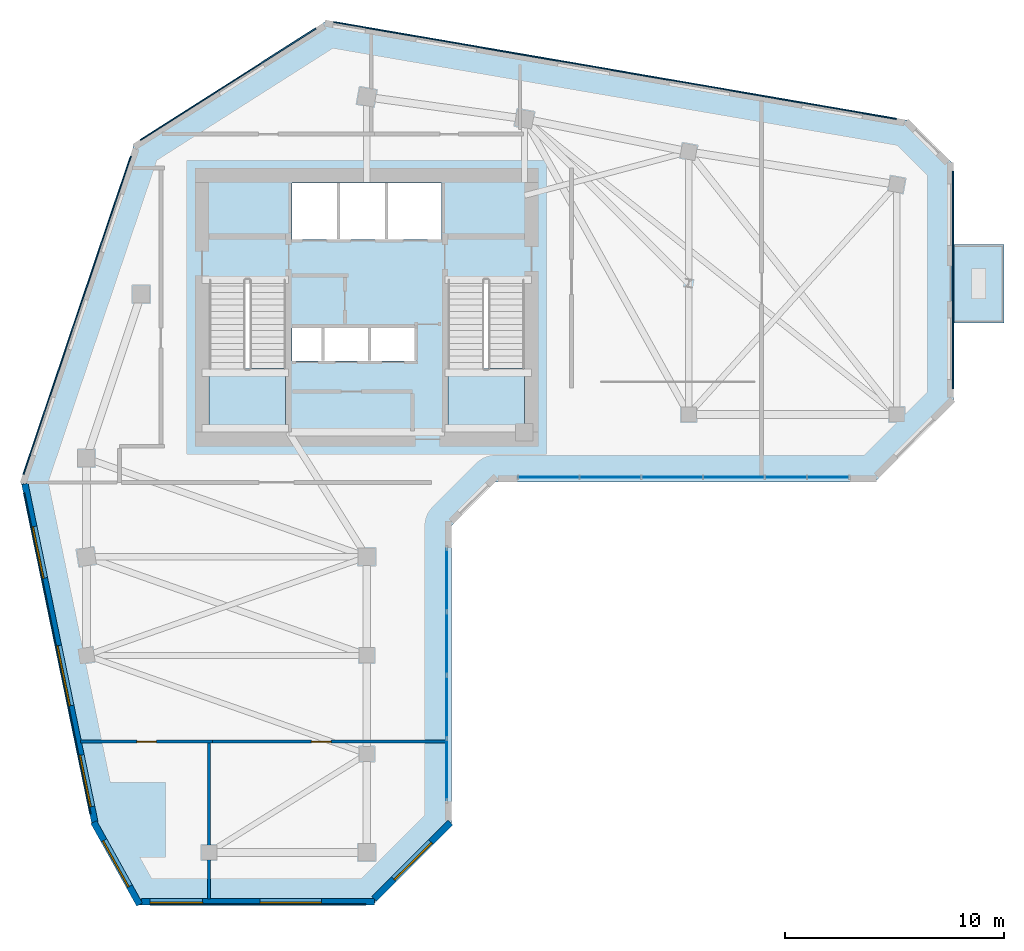
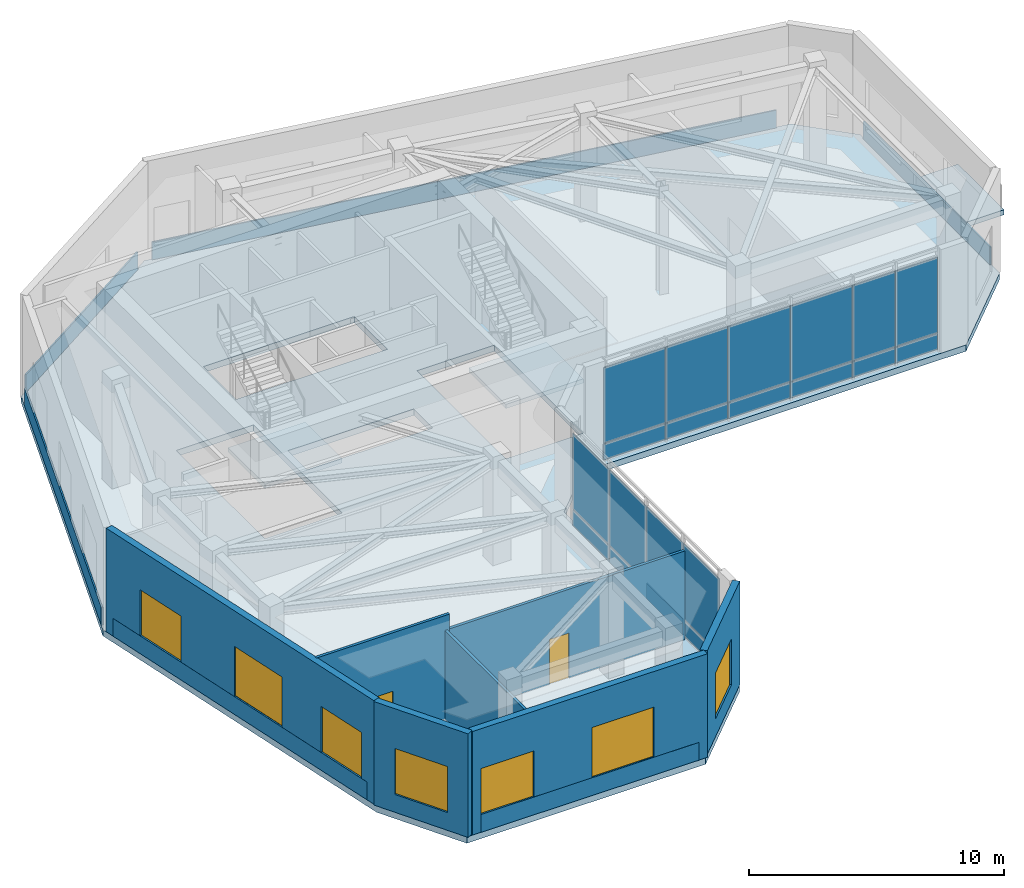
# One storey, part 4 of 10: 26 plates, 7 walls, 7 windows, 4 slabs, 2 doors, 9 openings, 4 elements without a shape of their own.
"""IFC4 building model written with IfcOpenShell, lengths in metres."""

from ifc_helpers import new_model, si_unit, direction, frame, frame_2d, origin, place, context, subcontext, project, spatial, polyline, rectangle, outline, extrude, source, transform, mapped, material, layer, layer_set, type_object, element, fill, aggregate, save


model = new_model("IFC4")

# Units and contexts
model_context = context("Model", 3, precision=1e-05, world=origin(), true_north=direction((0.0, 1.0)))
body_context = subcontext(model_context, "Body", "Model", "MODEL_VIEW")
ifc_project = project(units=[si_unit("LENGTHUNIT", "METRE"), si_unit("AREAUNIT", "SQUARE_METRE"), si_unit("VOLUMEUNIT", "CUBIC_METRE"), si_unit("PLANEANGLEUNIT", "RADIAN"), si_unit("MASSUNIT", "GRAM", prefix="KILO")], contexts=[model_context])

# Site, building, storey
site_placement = place(None, origin())
site = spatial("IfcSite", under=ifc_project, at=site_placement, CompositionType="ELEMENT")
building_placement = place(site_placement, origin())
building = spatial("IfcBuilding", under=site, at=building_placement, Name="Calvemar Wedge Station Tower", CompositionType="ELEMENT")
storey_placement = place(building_placement, frame((0.0, 0.0, 178.199951171875)))
storey = spatial("IfcBuildingStorey", under=building, at=storey_placement, Name="L44", CompositionType="ELEMENT", Elevation=178.199951171875)

# Curtain wall, plates
ifc_material_1 = material(Name="Anodised aluminium 6063-T6", Category="aluminium")
curtain_wall_type = type_object("IfcCurtainWallType", Name="CW6", PredefinedType="NOTDEFINED", material=ifc_material_1)
curtain_wall_1_placement = place(storey_placement, origin())
curtain_wall_1 = element("IfcCurtainWall", 1, at=curtain_wall_1_placement, inside=storey, type_object=curtain_wall_type, Name="Storey L44 CW6 Recessed Unitised Curtain Wall 4", PredefinedType="NOTDEFINED")
ifc_material_2 = material(Name="Low-E laminated insulated glass", Category="glass")
ifc_layer_1 = layer(ifc_material_2, 0.028076171875)
ifc_layer_set_1 = layer_set([ifc_layer_1], Name="Low-E laminated insulated glass")
plate_type_1 = type_object("IfcPlateType", Name="CW6-GLZ", PredefinedType="CURTAIN_PANEL", material=ifc_layer_set_1)
plate_1_placement = place(storey_placement, frame((27.4541015625, 17.380126953125, 0.8701171875), z_axis=(0.0, 0.0, 1.0), x_axis=(0.0, 1.0, 0.0)))
plate_1 = element("IfcPlate", 2, at=plate_1_placement, type_object=plate_type_1, Name="CW6 vision glass panel 1", PredefinedType="CURTAIN_PANEL", context=body_context, shape_type="SweptSolid", body=[
    extrude(rectangle(XDim=2.806884765625, YDim=0.028076171875, at=frame_2d((1.4033203125, 0.0))), origin(), (0.0, 0.0, 1.0), 3.60986328125),
])
plate_2_placement = place(storey_placement, frame((27.4541015625, 20.222900390625, 0.8701171875), z_axis=(0.0, 0.0, 1.0), x_axis=(0.0, 1.0, 0.0)))
plate_2 = element("IfcPlate", 3, at=plate_2_placement, type_object=plate_type_1, Name="CW6 vision glass panel 2", PredefinedType="CURTAIN_PANEL", context=body_context, shape_type="SweptSolid", body=[
    extrude(rectangle(XDim=2.85791015625, YDim=0.028076171875, at=frame_2d((1.428955078125, 0.0))), origin(), (0.0, 0.0, 1.0), 3.60986328125),
])
plate_3_placement = place(storey_placement, frame((27.4541015625, 23.11669921875, 0.8701171875), z_axis=(0.0, 0.0, 1.0), x_axis=(0.0, 1.0, 0.0)))
plate_3 = element("IfcPlate", 4, at=plate_3_placement, type_object=plate_type_1, Name="CW6 vision glass panel 3", PredefinedType="CURTAIN_PANEL", context=body_context, shape_type="SweptSolid", body=[
    extrude(rectangle(XDim=2.857666015625, YDim=0.028076171875, at=frame_2d((1.4287109375, 0.0))), origin(), (0.0, 0.0, 1.0), 3.60986328125),
])
plate_4_placement = place(storey_placement, frame((27.4541015625, 26.010498046875, 0.8701171875), z_axis=(0.0, 0.0, 1.0), x_axis=(0.0, 1.0, 0.0)))
plate_4 = element("IfcPlate", 5, at=plate_4_placement, type_object=plate_type_1, Name="CW6 vision glass panel 4", PredefinedType="CURTAIN_PANEL", context=body_context, shape_type="SweptSolid", body=[
    extrude(rectangle(XDim=2.857666015625, YDim=0.028076171875, at=frame_2d((1.4287109375, 0.0))), origin(), (0.0, 0.0, 1.0), 3.60986328125),
])

curtain_wall_2_placement = place(storey_placement, origin())
curtain_wall_2 = element("IfcCurtainWall", 6, at=curtain_wall_2_placement, inside=storey, type_object=curtain_wall_type, Name="Storey L44 CW6 Recessed Unitised Curtain Wall 6", PredefinedType="NOTDEFINED")
plate_5_placement = place(storey_placement, frame((30.719970703125, 32.134033203125, 0.8701171875), z_axis=(0.0, 0.0, 1.0), x_axis=(1.0, 0.0, 0.0)))
plate_5 = element("IfcPlate", 7, at=plate_5_placement, type_object=plate_type_1, Name="CW6 vision glass panel 1", PredefinedType="CURTAIN_PANEL", context=body_context, shape_type="SweptSolid", body=[
    extrude(rectangle(XDim=2.7822265625, YDim=0.028076171875, at=frame_2d((1.39111328125, 0.0))), origin(), (0.0, 0.0, 1.0), 3.60986328125),
])
plate_6_placement = place(storey_placement, frame((33.5380859375, 32.134033203125, 0.8701171875), z_axis=(0.0, 0.0, 1.0), x_axis=(1.0, 0.0, 0.0)))
plate_6 = element("IfcPlate", 8, at=plate_6_placement, type_object=plate_type_1, Name="CW6 vision glass panel 2", PredefinedType="CURTAIN_PANEL", context=body_context, shape_type="SweptSolid", body=[
    extrude(rectangle(XDim=2.7822265625, YDim=0.028076171875, at=frame_2d((1.39111328125, 0.0))), origin(), (0.0, 0.0, 1.0), 3.60986328125),
])
plate_7_placement = place(storey_placement, frame((36.3564453125, 32.134033203125, 0.8701171875), z_axis=(0.0, 0.0, 1.0), x_axis=(1.0, 0.0, 0.0)))
plate_7 = element("IfcPlate", 9, at=plate_7_placement, type_object=plate_type_1, Name="CW6 vision glass panel 3", PredefinedType="CURTAIN_PANEL", context=body_context, shape_type="SweptSolid", body=[
    extrude(rectangle(XDim=2.7822265625, YDim=0.028076171875, at=frame_2d((1.39111328125, 0.0))), origin(), (0.0, 0.0, 1.0), 3.60986328125),
])
plate_8_placement = place(storey_placement, frame((39.1748046875, 32.134033203125, 0.8701171875), z_axis=(0.0, 0.0, 1.0), x_axis=(1.0, 0.0, 0.0)))
plate_8 = element("IfcPlate", 10, at=plate_8_placement, type_object=plate_type_1, Name="CW6 vision glass panel 4", PredefinedType="CURTAIN_PANEL", context=body_context, shape_type="SweptSolid", body=[
    extrude(rectangle(XDim=2.7822265625, YDim=0.028076171875, at=frame_2d((1.39111328125, 0.0))), origin(), (0.0, 0.0, 1.0), 3.60986328125),
])
plate_9_placement = place(storey_placement, frame((41.992919921875, 32.134033203125, 0.8701171875), z_axis=(0.0, 0.0, 1.0), x_axis=(1.0, 0.0, 0.0)))
plate_9 = element("IfcPlate", 11, at=plate_9_placement, type_object=plate_type_1, Name="CW6 vision glass panel 5", PredefinedType="CURTAIN_PANEL", context=body_context, shape_type="SweptSolid", body=[
    extrude(rectangle(XDim=1.8955078125, YDim=0.028076171875, at=frame_2d((0.94775390625, 0.0))), origin(), (0.0, 0.0, 1.0), 3.60986328125),
])
plate_10_placement = place(storey_placement, frame((43.92431640625, 32.134033203125, 0.8701171875), z_axis=(0.0, 0.0, 1.0), x_axis=(1.0, 0.0, 0.0)))
plate_10 = element("IfcPlate", 12, at=plate_10_placement, type_object=plate_type_1, Name="CW6 vision glass panel 6", PredefinedType="CURTAIN_PANEL", context=body_context, shape_type="SweptSolid", body=[
    extrude(rectangle(XDim=1.8955078125, YDim=0.028076171875, at=frame_2d((0.94775390625, 0.0))), origin(), (0.0, 0.0, 1.0), 3.60986328125),
])

# Plate
ifc_material_3 = material(Name="Oxidized bronze aluminium spandrel panel 5005-H24", Category="aluminium")
ifc_layer_2 = layer(ifc_material_3, 0.0400390625)
ifc_layer_set_2 = layer_set([ifc_layer_2], Name="Oxidized bronze aluminium spandrel panel 5005-H24")
plate_type_2 = type_object("IfcPlateType", Name="CW6-SPD", PredefinedType="SHEET", material=ifc_layer_set_2)
plate_11_placement = place(storey_placement, frame((27.4541015625, 17.380126953125, 0.080078125), z_axis=(0.0, 0.0, 1.0), x_axis=(0.0, 1.0, 0.0)))
plate_11 = element("IfcPlate", 13, at=plate_11_placement, type_object=plate_type_2, Name="CW6 bronze spandrel panel 1", PredefinedType="SHEET", context=body_context, shape_type="SweptSolid", body=[
    extrude(rectangle(XDim=2.806884765625, YDim=0.0400390625, at=frame_2d((1.4033203125, 0.0))), origin(), (0.0, 0.0, 1.0), 0.75),
])

plate_12_placement = place(storey_placement, frame((27.4541015625, 20.222900390625, 0.080078125), z_axis=(0.0, 0.0, 1.0), x_axis=(0.0, 1.0, 0.0)))
plate_12 = element("IfcPlate", 14, at=plate_12_placement, type_object=plate_type_2, Name="CW6 bronze spandrel panel 2", PredefinedType="SHEET", context=body_context, shape_type="SweptSolid", body=[
    extrude(rectangle(XDim=2.85791015625, YDim=0.0400390625, at=frame_2d((1.428955078125, 0.0))), origin(), (0.0, 0.0, 1.0), 0.75),
])

plate_13_placement = place(storey_placement, frame((27.4541015625, 23.11669921875, 0.080078125), z_axis=(0.0, 0.0, 1.0), x_axis=(0.0, 1.0, 0.0)))
plate_13 = element("IfcPlate", 15, at=plate_13_placement, type_object=plate_type_2, Name="CW6 bronze spandrel panel 3", PredefinedType="SHEET", context=body_context, shape_type="SweptSolid", body=[
    extrude(rectangle(XDim=2.857666015625, YDim=0.0400390625, at=frame_2d((1.4287109375, 0.0))), origin(), (0.0, 0.0, 1.0), 0.75),
])

plate_14_placement = place(storey_placement, frame((27.4541015625, 26.010498046875, 0.080078125), z_axis=(0.0, 0.0, 1.0), x_axis=(0.0, 1.0, 0.0)))
plate_14 = element("IfcPlate", 16, at=plate_14_placement, type_object=plate_type_2, Name="CW6 bronze spandrel panel 4", PredefinedType="SHEET", context=body_context, shape_type="SweptSolid", body=[
    extrude(rectangle(XDim=2.857666015625, YDim=0.0400390625, at=frame_2d((1.4287109375, 0.0))), origin(), (0.0, 0.0, 1.0), 0.75),
])

aggregate(curtain_wall_1, [plate_11, plate_1, plate_12, plate_2, plate_13, plate_3, plate_14, plate_4])

plate_15_placement = place(storey_placement, frame((30.719970703125, 32.134033203125, 0.080078125), z_axis=(0.0, 0.0, 1.0), x_axis=(1.0, 0.0, 0.0)))
plate_15 = element("IfcPlate", 17, at=plate_15_placement, type_object=plate_type_2, Name="CW6 bronze spandrel panel 1", PredefinedType="SHEET", context=body_context, shape_type="SweptSolid", body=[
    extrude(rectangle(XDim=2.7822265625, YDim=0.0400390625, at=frame_2d((1.39111328125, 0.0))), origin(), (0.0, 0.0, 1.0), 0.75),
])

plate_16_placement = place(storey_placement, frame((33.5380859375, 32.134033203125, 0.080078125), z_axis=(0.0, 0.0, 1.0), x_axis=(1.0, 0.0, 0.0)))
plate_16 = element("IfcPlate", 18, at=plate_16_placement, type_object=plate_type_2, Name="CW6 bronze spandrel panel 2", PredefinedType="SHEET", context=body_context, shape_type="SweptSolid", body=[
    extrude(rectangle(XDim=2.7822265625, YDim=0.0400390625, at=frame_2d((1.39111328125, 0.0))), origin(), (0.0, 0.0, 1.0), 0.75),
])

plate_17_placement = place(storey_placement, frame((36.3564453125, 32.134033203125, 0.080078125), z_axis=(0.0, 0.0, 1.0), x_axis=(1.0, 0.0, 0.0)))
plate_17 = element("IfcPlate", 19, at=plate_17_placement, type_object=plate_type_2, Name="CW6 bronze spandrel panel 3", PredefinedType="SHEET", context=body_context, shape_type="SweptSolid", body=[
    extrude(rectangle(XDim=2.7822265625, YDim=0.0400390625, at=frame_2d((1.39111328125, 0.0))), origin(), (0.0, 0.0, 1.0), 0.75),
])

plate_18_placement = place(storey_placement, frame((39.1748046875, 32.134033203125, 0.080078125), z_axis=(0.0, 0.0, 1.0), x_axis=(1.0, 0.0, 0.0)))
plate_18 = element("IfcPlate", 20, at=plate_18_placement, type_object=plate_type_2, Name="CW6 bronze spandrel panel 4", PredefinedType="SHEET", context=body_context, shape_type="SweptSolid", body=[
    extrude(rectangle(XDim=2.7822265625, YDim=0.0400390625, at=frame_2d((1.39111328125, 0.0))), origin(), (0.0, 0.0, 1.0), 0.75),
])

plate_19_placement = place(storey_placement, frame((41.992919921875, 32.134033203125, 0.080078125), z_axis=(0.0, 0.0, 1.0), x_axis=(1.0, 0.0, 0.0)))
plate_19 = element("IfcPlate", 21, at=plate_19_placement, type_object=plate_type_2, Name="CW6 bronze spandrel panel 5", PredefinedType="SHEET", context=body_context, shape_type="SweptSolid", body=[
    extrude(rectangle(XDim=1.8955078125, YDim=0.0400390625, at=frame_2d((0.94775390625, 0.0))), origin(), (0.0, 0.0, 1.0), 0.75),
])

plate_20_placement = place(storey_placement, frame((43.92431640625, 32.134033203125, 0.080078125), z_axis=(0.0, 0.0, 1.0), x_axis=(1.0, 0.0, 0.0)))
plate_20 = element("IfcPlate", 22, at=plate_20_placement, type_object=plate_type_2, Name="CW6 bronze spandrel panel 6", PredefinedType="SHEET", context=body_context, shape_type="SweptSolid", body=[
    extrude(rectangle(XDim=1.8955078125, YDim=0.0400390625, at=frame_2d((0.94775390625, 0.0))), origin(), (0.0, 0.0, 1.0), 0.75),
])

aggregate(curtain_wall_2, [plate_15, plate_5, plate_16, plate_6, plate_17, plate_7, plate_18, plate_8, plate_19, plate_9, plate_20, plate_10])

# Plates
ifc_material_4 = material(Name="Precast concrete C45", Category="concrete")
ifc_layer_3 = layer(ifc_material_4, 0.06494140625)
ifc_layer_set_3 = layer_set([ifc_layer_3], Name="Precast concrete C45")
plate_type_3 = type_object("IfcPlateType", Name="PL-GFRC-FIN", PredefinedType="USERDEFINED", material=ifc_layer_set_3)
plate_21_placement = place(storey_placement, frame((13.91015625, 12.6298828125, 0.0), z_axis=(0.0, 0.0, 1.0), x_axis=(1.0, 0.0, 0.0)))
element("IfcPlate", 23, at=plate_21_placement, inside=storey, type_object=plate_type_3, Name="Storey L44 Oxidized-Bronze GFRC Spandrel Cladding 2", ObjectType="CLADDING PANEL", PredefinedType="USERDEFINED", context=body_context, shape_type="SweptSolid", body=[
    extrude(rectangle(XDim=9.841796875, YDim=0.06494140625, at=frame_2d((4.9208984375, 0.0))), origin(), (0.0, 0.0, 1.0), 0.85009765625),
])
plate_22_placement = place(storey_placement, frame((50.570068359375, 36.181396484375, 0.0), z_axis=(0.0, 0.0, 1.0), x_axis=(0.0, 1.0, 0.0)))
element("IfcPlate", 24, at=plate_22_placement, inside=storey, type_object=plate_type_3, Name="Storey L44 Oxidized-Bronze GFRC Spandrel Cladding 8", ObjectType="CLADDING PANEL", PredefinedType="USERDEFINED", context=body_context, shape_type="SweptSolid", body=[
    extrude(rectangle(XDim=9.930419921875, YDim=0.06494140625, at=frame_2d((4.96533203125, 0.0))), origin(), (0.0, 0.0, 1.0), 0.85009765625),
])
plate_23_placement = place(storey_placement, frame((47.9873046875, 48.4990234375, 0.0), z_axis=(0.0, 0.0, 1.0), x_axis=(-0.985523911085, 0.169536487755, 0.0)))
element("IfcPlate", 25, at=plate_23_placement, inside=storey, type_object=plate_type_3, Name="Storey L44 Oxidized-Bronze GFRC Spandrel Cladding 10", ObjectType="CLADDING PANEL", PredefinedType="USERDEFINED", context=body_context, shape_type="SweptSolid", body=[
    extrude(rectangle(XDim=26.06640625, YDim=0.06494140625, at=frame_2d((13.033203125, 0.0))), origin(), (0.0, 0.0, 1.0), 0.85009765625),
])
plate_24_placement = place(storey_placement, frame((21.472412109375, 52.62890625, 0.0), z_axis=(0.0, 0.0, 1.0), x_axis=(-0.843653007287, -0.536888818375, 0.0)))
element("IfcPlate", 26, at=plate_24_placement, inside=storey, type_object=plate_type_3, Name="Storey L44 Oxidized-Bronze GFRC Spandrel Cladding 11", ObjectType="CLADDING PANEL", PredefinedType="USERDEFINED", context=body_context, shape_type="SweptSolid", body=[
    extrude(rectangle(XDim=9.4833984375, YDim=0.06494140625, at=frame_2d((4.74169921875, 0.0))), origin(), (0.0, 0.0, 1.0), 0.85009765625),
])
plate_25_placement = place(storey_placement, frame((13.02685546875, 46.793212890625, 0.0), z_axis=(0.0, 0.0, 1.0), x_axis=(-0.319927299225, -0.947442094912, 0.0)))
element("IfcPlate", 27, at=plate_25_placement, inside=storey, type_object=plate_type_3, Name="Storey L44 Oxidized-Bronze GFRC Spandrel Cladding 12", ObjectType="CLADDING PANEL", PredefinedType="USERDEFINED", context=body_context, shape_type="SweptSolid", body=[
    extrude(rectangle(XDim=15.333251953125, YDim=0.06494140625, at=frame_2d((7.66650390625, 0.0))), origin(), (0.0, 0.0, 1.0), 0.85009765625),
])
plate_26_placement = place(storey_placement, frame((8.15087890625, 31.41796875, 0.0), z_axis=(0.0, 0.0, 1.0), x_axis=(0.202320768525, -0.979319307797, 0.0)))
element("IfcPlate", 28, at=plate_26_placement, inside=storey, type_object=plate_type_3, Name="Storey L44 Oxidized-Bronze GFRC Spandrel Cladding 13", ObjectType="CLADDING PANEL", PredefinedType="USERDEFINED", context=body_context, shape_type="SweptSolid", body=[
    extrude(rectangle(XDim=14.965576171875, YDim=0.06494140625, at=frame_2d((7.48291015625, 0.0))), origin(), (0.0, 0.0, 1.0), 0.85009765625),
])

# Slab
ifc_material_5 = material(Name="Concrete C50", Category="concrete")
ifc_layer_4 = layer(ifc_material_5, 0.300048828125)
ifc_layer_set_4 = layer_set([ifc_layer_4], Name="Concrete C50")
slab_type_1 = type_object("IfcSlabType", Name="SL-REF-300", PredefinedType="FLOOR", material=ifc_layer_set_4)
slab_1_placement = place(storey_placement, frame((0.0, 0.0, -0.300048828125)))
element("IfcSlab", 29, at=slab_1_placement, inside=storey, type_object=slab_type_1, Name="Storey L44 Structural Floor Slab", PredefinedType="FLOOR", context=body_context, shape_type="SweptSolid", body=[
    extrude(outline(polyline([(8.0, 32.0), (11.263916015625, 16.199951171875), (13.263916015625, 12.60009765625), (24.06396484375, 12.60009765625), (27.6640625, 16.199951171875), (27.6640625, 29.924072265625), (29.6640625, 31.924072265625), (47.0, 31.924072265625), (50.60009765625, 35.52392578125), (50.60009765625, 46.424072265625), (48.60009765625, 48.424072265625), (22.0, 53.0), (13.199951171875, 47.39990234375), (8.0, 32.0)]), holes=[polyline([(20.10009765625, 34.199951171875), (20.10009765625, 41.14990234375), (16.60009765625, 41.14990234375), (16.60009765625, 34.199951171875), (20.10009765625, 34.199951171875)]), polyline([(27.5, 34.199951171875), (31.0, 34.199951171875), (31.0, 41.14990234375), (27.5, 41.14990234375), (27.5, 34.199951171875)]), polyline([(21.800048828125, 37.449951171875), (23.929931640625, 37.449951171875), (23.93994140625, 37.449951171875), (26.080078125, 37.449951171875), (26.080078125, 38.949951171875), (23.93994140625, 38.949951171875), (23.929931640625, 38.949951171875), (21.800048828125, 38.949951171875), (21.7900390625, 38.949951171875), (20.3798828125, 38.949951171875), (20.3798828125, 37.449951171875), (21.7900390625, 37.449951171875), (21.800048828125, 37.449951171875)]), polyline([(27.219970703125, 43.0), (27.219970703125, 45.580078125), (20.3798828125, 45.580078125), (20.3798828125, 43.0), (27.219970703125, 43.0)])]), origin(), (0.0, 0.0, 1.0), 0.300048828125),
])

# Stair, slab
ifc_material_6 = material(Name="Concrete C45", Category="concrete")
stair_type = type_object("IfcStairType", Name="ST-TYPE-5200", PredefinedType="HALF_TURN_STAIR", material=ifc_material_6)
stair_1_placement = place(storey_placement, origin())
stair_1 = element("IfcStair", 30, at=stair_1_placement, inside=storey, type_object=stair_type, Name="L44 Pressurized Core Exit Stair ST-C1", PredefinedType="HALF_TURN_STAIR")
ifc_layer_5 = layer(ifc_material_6, 0.199951171875)
ifc_layer_set_5 = layer_set([ifc_layer_5], Name="Concrete C45")
slab_type_2 = type_object("IfcSlabType", Name="SL-STAIR-LND-200", PredefinedType="LANDING", material=ifc_layer_set_5)
slab_2_placement = place(storey_placement, frame((0.0, 0.0, 2.400146484375)))
slab_2 = element("IfcSlab", 31, at=slab_2_placement, type_object=slab_type_2, Name="ST-C1 landing 1", PredefinedType="LANDING", context=body_context, shape_type="SweptSolid", body=[
    extrude(outline(polyline([(16.60009765625, 37.090087890625), (16.60009765625, 34.199951171875), (20.10009765625, 34.199951171875), (20.10009765625, 37.090087890625), (16.60009765625, 37.090087890625)])), origin(), (0.0, 0.0, 1.0), 0.199951171875),
])
aggregate(stair_1, [slab_2])

stair_2_placement = place(storey_placement, origin())
stair_2 = element("IfcStair", 32, at=stair_2_placement, inside=storey, type_object=stair_type, Name="L44 Pressurized Core Exit Stair ST-C2", PredefinedType="HALF_TURN_STAIR")
slab_3_placement = place(storey_placement, frame((0.0, 0.0, 2.400146484375)))
slab_3 = element("IfcSlab", 33, at=slab_3_placement, type_object=slab_type_2, Name="ST-C2 landing 1", PredefinedType="LANDING", context=body_context, shape_type="SweptSolid", body=[
    extrude(outline(polyline([(27.5, 37.090087890625), (27.5, 34.199951171875), (31.0, 34.199951171875), (31.0, 37.090087890625), (27.5, 37.090087890625)])), origin(), (0.0, 0.0, 1.0), 0.199951171875),
])
aggregate(stair_2, [slab_3])

# Slab
ifc_layer_6 = layer(ifc_material_6, 0.239990234375)
ifc_layer_set_6 = layer_set([ifc_layer_6], Name="Concrete C45")
slab_type_3 = type_object("IfcSlabType", Name="SL-TERR-240", PredefinedType="FLOOR", material=ifc_layer_set_6)
slab_4_placement = place(storey_placement, frame((0.0, 0.0, -0.239990234375)))
element("IfcSlab", 34, at=slab_4_placement, inside=storey, type_object=slab_type_3, Name="Storey L44 Planted Spiral Terrace Slab", PredefinedType="FLOOR", context=body_context, shape_type="SweptSolid", body=[
    extrude(outline(polyline([(50.60009765625, 39.174072265625), (52.89990234375, 39.174072265625), (52.89990234375, 42.77392578125), (50.60009765625, 42.77392578125), (50.60009765625, 39.174072265625)])), origin(), (0.0, 0.0, 1.0), 0.239990234375),
])

# Wall, opening, window
ifc_layer_7 = layer(ifc_material_4, 0.300048828125)
ifc_layer_set_7 = layer_set([ifc_layer_7], Name="Precast concrete C45")
wall_type_1 = type_object("IfcWallType", Name="W-EXT-GFRC-300", PredefinedType="SOLIDWALL", material=ifc_layer_set_7)
wall_1_placement = place(storey_placement, frame((11.33349609375, 16.3837890625, 0.0), z_axis=(0.0, 0.0, 1.0), x_axis=(0.485633305139, -0.874162623852, 0.0)))
wall_1 = element("IfcWall", 35, at=wall_1_placement, inside=storey, type_object=wall_type_1, Name="Storey L44 Bronze GFRC Exterior Wall 1", PredefinedType="SOLIDWALL", context=body_context, shape_type="SweptSolid", body=[
    extrude(rectangle(XDim=4.306884765625, YDim=0.300048828125, at=frame_2d((2.1533203125, 0.0))), origin(), (0.0, 0.0, 1.0), 4.949951171875),
])
shared_shape_1 = source(origin(), body_context, "Body", "SweptSolid", [
    extrude(rectangle(XDim=2.39990234375, YDim=2.199951171875, at=frame_2d((1.199951171875, 1.10009765625))), frame((0.0, 0.16015625, 0.0), z_axis=(0.0, -1.0, 0.0), x_axis=(1.0, 0.0, 0.0)), (0.0, 0.0, 1.0), 0.320068359375),
])
opening_1_placement = place(wall_1_placement, frame((0.9541015625, 0.0, 0.85009765625)))
opening_1 = element("IfcOpeningElement", 36, at=opening_1_placement, cuts=wall_1, Name="Opening W1", PredefinedType="OPENING", context=body_context, shape_type="MappedRepresentation", body=[
    mapped(shared_shape_1, transform((0.0, 0.0, 0.0), scale=1.0)),
])
window_type_1 = type_object("IfcWindowType", Name="WIN-EXT-1", PartitioningType="SINGLE_PANEL", PredefinedType="WINDOW", material=ifc_material_2)
shared_shape_2 = source(origin(), body_context, "Body", "SweptSolid", [
    extrude(rectangle(XDim=2.39990234375, YDim=2.199951171875, at=frame_2d((1.199951171875, 1.10009765625))), frame((0.0, -0.014892578125, 0.0), z_axis=(0.0, -1.0, 0.0), x_axis=(1.0, 0.0, 0.0)), (0.0, 0.0, 1.0), 0.06005859375),
])
window_1_placement = place(opening_1_placement, origin())
window_1 = element("IfcWindow", 37, at=window_1_placement, inside=storey, type_object=window_type_1, Name="Storey L44 Recessed Window 1.1", OverallHeight=2.199951171875, OverallWidth=2.39990234375, PartitioningType="SINGLE_PANEL", PredefinedType="WINDOW", context=body_context, shape_type="MappedRepresentation", body=[
    mapped(shared_shape_2, transform((0.0, 0.0, 0.0), scale=1.0)),
])
fill(opening_1, window_1)

# Wall, openings, windows
wall_2_placement = place(storey_placement, frame((13.510009765625, 12.75, 0.0), z_axis=(0.0, 0.0, 1.0), x_axis=(1.0, 0.0, 0.0)))
wall_2 = element("IfcWall", 38, at=wall_2_placement, inside=storey, type_object=wall_type_1, Name="Storey L44 Bronze GFRC Exterior Wall 2", PredefinedType="SOLIDWALL", context=body_context, shape_type="SweptSolid", body=[
    extrude(rectangle(XDim=10.641845703125, YDim=0.300048828125, at=frame_2d((5.32080078125, 0.0))), origin(), (0.0, 0.0, 1.0), 4.949951171875),
])
opening_2_placement = place(wall_2_placement, frame((0.39501953125, 0.0, 0.85009765625)))
opening_2 = element("IfcOpeningElement", 39, at=opening_2_placement, cuts=wall_2, Name="Opening W1", PredefinedType="OPENING", context=body_context, shape_type="MappedRepresentation", body=[
    mapped(shared_shape_1, transform((0.0, 0.0, 0.0), scale=1.0)),
])
shared_shape_3 = source(origin(), body_context, "Body", "SweptSolid", [
    extrude(rectangle(XDim=2.800048828125, YDim=2.39990234375, at=frame_2d((1.39990234375, 1.199951171875))), frame((0.0, 0.16015625, 0.0), z_axis=(0.0, -1.0, 0.0), x_axis=(1.0, 0.0, 0.0)), (0.0, 0.0, 1.0), 0.320068359375),
])
opening_3_placement = place(wall_2_placement, frame((5.416015625, 0.0, 0.85009765625)))
opening_3 = element("IfcOpeningElement", 40, at=opening_3_placement, cuts=wall_2, Name="Opening W6", PredefinedType="OPENING", context=body_context, shape_type="MappedRepresentation", body=[
    mapped(shared_shape_3, transform((0.0, 0.0, 0.0), scale=1.0)),
])
window_type_2 = type_object("IfcWindowType", Name="WIN-EXT-6", PartitioningType="SINGLE_PANEL", PredefinedType="WINDOW", material=ifc_material_2)
shared_shape_4 = source(origin(), body_context, "Body", "SweptSolid", [
    extrude(rectangle(XDim=2.800048828125, YDim=2.39990234375, at=frame_2d((1.39990234375, 1.199951171875))), frame((0.0, -0.014892578125, 0.0), z_axis=(0.0, -1.0, 0.0), x_axis=(1.0, 0.0, 0.0)), (0.0, 0.0, 1.0), 0.06005859375),
])
window_2_placement = place(opening_3_placement, origin())
window_2 = element("IfcWindow", 41, at=window_2_placement, inside=storey, type_object=window_type_2, Name="Storey L44 Recessed Window 2.2", OverallHeight=2.39990234375, OverallWidth=2.800048828125, PartitioningType="SINGLE_PANEL", PredefinedType="WINDOW", context=body_context, shape_type="MappedRepresentation", body=[
    mapped(shared_shape_4, transform((0.0, 0.0, 0.0), scale=1.0)),
])
fill(opening_3, window_2)
window_3_placement = place(opening_2_placement, origin())
window_3 = element("IfcWindow", 42, at=window_3_placement, inside=storey, type_object=window_type_1, Name="Storey L44 Recessed Window 2.1", OverallHeight=2.199951171875, OverallWidth=2.39990234375, PartitioningType="SINGLE_PANEL", PredefinedType="WINDOW", context=body_context, shape_type="MappedRepresentation", body=[
    mapped(shared_shape_2, transform((0.0, 0.0, 0.0), scale=1.0)),
])
fill(opening_2, window_3)

# Wall, opening, window
wall_3_placement = place(storey_placement, frame((24.139892578125, 12.887939453125, 0.0), z_axis=(0.0, 0.0, 1.0), x_axis=(0.707106781187, 0.707106781187, 0.0)))
wall_3 = element("IfcWall", 43, at=wall_3_placement, inside=storey, type_object=wall_type_1, Name="Storey L44 Bronze GFRC Exterior Wall 3", PredefinedType="SOLIDWALL", context=body_context, shape_type="SweptSolid", body=[
    extrude(rectangle(XDim=4.921875, YDim=0.300048828125, at=frame_2d((2.4609375, 0.0))), origin(), (0.0, 0.0, 1.0), 4.949951171875),
])
opening_4_placement = place(wall_3_placement, frame((1.260986328125, 0.0, 0.85009765625)))
opening_4 = element("IfcOpeningElement", 44, at=opening_4_placement, cuts=wall_3, Name="Opening W1", PredefinedType="OPENING", context=body_context, shape_type="MappedRepresentation", body=[
    mapped(shared_shape_1, transform((0.0, 0.0, 0.0), scale=1.0)),
])
window_4_placement = place(opening_4_placement, origin())
window_4 = element("IfcWindow", 45, at=window_4_placement, inside=storey, type_object=window_type_1, Name="Storey L44 Recessed Window 3.1", OverallHeight=2.199951171875, OverallWidth=2.39990234375, PartitioningType="SINGLE_PANEL", PredefinedType="WINDOW", context=body_context, shape_type="MappedRepresentation", body=[
    mapped(shared_shape_2, transform((0.0, 0.0, 0.0), scale=1.0)),
])
fill(opening_4, window_4)

# Wall, openings, windows
wall_4_placement = place(storey_placement, frame((8.1875, 31.833984375, 0.0), z_axis=(0.0, 0.0, 1.0), x_axis=(0.202303475707, -0.979322880217, 0.0)))
wall_4 = element("IfcWall", 46, at=wall_4_placement, inside=storey, type_object=wall_type_1, Name="Storey L44 Bronze GFRC Exterior Wall 13", PredefinedType="SOLIDWALL", context=body_context, shape_type="SweptSolid", body=[
    extrude(rectangle(XDim=15.765625, YDim=0.300048828125, at=frame_2d((7.8828125, 0.0))), origin(), (0.0, 0.0, 1.0), 4.949951171875),
])
opening_5_placement = place(wall_4_placement, frame((1.9951171875, 0.0, 0.85009765625)))
opening_5 = element("IfcOpeningElement", 47, at=opening_5_placement, cuts=wall_4, Name="Opening W1", PredefinedType="OPENING", context=body_context, shape_type="MappedRepresentation", body=[
    mapped(shared_shape_1, transform((0.0, 0.0, 0.0), scale=1.0)),
])
opening_6_placement = place(wall_4_placement, frame((7.5458984375, 0.0, 0.85009765625)))
opening_6 = element("IfcOpeningElement", 48, at=opening_6_placement, cuts=wall_4, Name="Opening W6", PredefinedType="OPENING", context=body_context, shape_type="MappedRepresentation", body=[
    mapped(shared_shape_3, transform((0.0, 0.0, 0.0), scale=1.0)),
])
opening_7_placement = place(wall_4_placement, frame((12.653076171875, 0.0, 0.85009765625)))
opening_7 = element("IfcOpeningElement", 49, at=opening_7_placement, cuts=wall_4, Name="Opening W1", PredefinedType="OPENING", context=body_context, shape_type="MappedRepresentation", body=[
    mapped(shared_shape_1, transform((0.0, 0.0, 0.0), scale=1.0)),
])
window_5_placement = place(opening_6_placement, origin())
window_5 = element("IfcWindow", 50, at=window_5_placement, inside=storey, type_object=window_type_2, Name="Storey L44 Recessed Window 13.2", OverallHeight=2.39990234375, OverallWidth=2.800048828125, PartitioningType="SINGLE_PANEL", PredefinedType="WINDOW", context=body_context, shape_type="MappedRepresentation", body=[
    mapped(shared_shape_4, transform((0.0, 0.0, 0.0), scale=1.0)),
])
fill(opening_6, window_5)
window_6_placement = place(opening_5_placement, origin())
window_6 = element("IfcWindow", 51, at=window_6_placement, inside=storey, type_object=window_type_1, Name="Storey L44 Recessed Window 13.1", OverallHeight=2.199951171875, OverallWidth=2.39990234375, PartitioningType="SINGLE_PANEL", PredefinedType="WINDOW", context=body_context, shape_type="MappedRepresentation", body=[
    mapped(shared_shape_2, transform((0.0, 0.0, 0.0), scale=1.0)),
])
fill(opening_5, window_6)
window_7_placement = place(opening_7_placement, origin())
window_7 = element("IfcWindow", 52, at=window_7_placement, inside=storey, type_object=window_type_1, Name="Storey L44 Recessed Window 13.3", OverallHeight=2.199951171875, OverallWidth=2.39990234375, PartitioningType="SINGLE_PANEL", PredefinedType="WINDOW", context=body_context, shape_type="MappedRepresentation", body=[
    mapped(shared_shape_2, transform((0.0, 0.0, 0.0), scale=1.0)),
])
fill(opening_7, window_7)

# Wall, opening, door
ifc_material_7 = material(Name="Insulated acoustic gypsum stud partition")
ifc_layer_8 = layer(ifc_material_7, 0.125)
ifc_layer_set_8 = layer_set([ifc_layer_8], Name="Insulated acoustic gypsum stud partition")
wall_type_2 = type_object("IfcWallType", Name="W-PART-125", PredefinedType="PARTITIONING", material=ifc_layer_set_8)
wall_5_placement = place(storey_placement, frame((16.760009765625, 20.06494140625, 0.0), z_axis=(0.0, 0.0, 1.0), x_axis=(-1.0, 0.0, 0.0)))
wall_5 = element("IfcWall", 53, at=wall_5_placement, inside=storey, type_object=wall_type_2, Name="Storey L44 Interior Partition WL-L44-017", PredefinedType="PARTITIONING", context=body_context, shape_type="SweptSolid", body=[
    extrude(rectangle(XDim=6.02392578125, YDim=0.125, at=frame_2d((3.011962890625, 0.0))), origin(), (0.0, 0.0, 1.0), 4.949951171875),
])
shared_shape_5 = source(origin(), body_context, "Body", "SweptSolid", [
    extrude(rectangle(XDim=0.89990234375, YDim=2.14990234375, at=frame_2d((0.449951171875, 1.074951171875))), frame((0.0, 0.072509765625, 0.0), z_axis=(0.0, -1.0, 0.0), x_axis=(1.0, 0.0, 0.0)), (0.0, 0.0, 1.0), 0.14501953125),
])
opening_8_placement = place(wall_5_placement, frame((2.56201171875, 0.0, 0.0)))
opening_8 = element("IfcOpeningElement", 54, at=opening_8_placement, cuts=wall_5, Name="Opening D-01", PredefinedType="OPENING", context=body_context, shape_type="MappedRepresentation", body=[
    mapped(shared_shape_5, transform((0.0, 0.0, 0.0), scale=1.0)),
])
ifc_material_8 = material(Name="Architectural hardwood acoustic swing door", Category="wood")
door_type = type_object("IfcDoorType", Name="DR-INT-900", OperationType="NOTDEFINED", PredefinedType="DOOR", material=ifc_material_8)
shared_shape_6 = source(origin(), body_context, "Body", "SweptSolid", [
    extrude(rectangle(XDim=0.89990234375, YDim=2.14990234375, at=frame_2d((0.449951171875, 1.074951171875))), frame((0.0, 0.02490234375, 0.0), z_axis=(0.0, -1.0, 0.0), x_axis=(1.0, 0.0, 0.0)), (0.0, 0.0, 1.0), 0.050048828125),
])
door_1_placement = place(opening_8_placement, origin())
door_1 = element("IfcDoor", 55, at=door_1_placement, inside=storey, type_object=door_type, Name="L44 Sky Fitness Studio Door", OperationType="SINGLE_SWING_LEFT", OverallHeight=2.14990234375, OverallWidth=0.89990234375, PredefinedType="DOOR", context=body_context, shape_type="MappedRepresentation", body=[
    mapped(shared_shape_6, transform((0.0, 0.0, 0.0), scale=1.0)),
])
fill(opening_8, door_1)

wall_6_placement = place(storey_placement, frame((27.39892578125, 20.06494140625, 0.0), z_axis=(0.0, 0.0, 1.0), x_axis=(-1.0, 0.0, 0.0)))
wall_6 = element("IfcWall", 56, at=wall_6_placement, inside=storey, type_object=wall_type_2, Name="Storey L44 Interior Partition WL-L44-018", PredefinedType="PARTITIONING", context=body_context, shape_type="SweptSolid", body=[
    extrude(rectangle(XDim=10.636962890625, YDim=0.125, at=frame_2d((5.318359375, 0.0))), origin(), (0.0, 0.0, 1.0), 4.241943359375),
])
opening_9_placement = place(wall_6_placement, frame((5.230712890625, 0.0, 0.0)))
opening_9 = element("IfcOpeningElement", 57, at=opening_9_placement, cuts=wall_6, Name="Opening D-01", PredefinedType="OPENING", context=body_context, shape_type="MappedRepresentation", body=[
    mapped(shared_shape_5, transform((0.0, 0.0, 0.0), scale=1.0)),
])
door_2_placement = place(opening_9_placement, origin())
door_2 = element("IfcDoor", 58, at=door_2_placement, inside=storey, type_object=door_type, Name="L44 Library Study Door", OperationType="SINGLE_SWING_RIGHT", OverallHeight=2.14990234375, OverallWidth=0.89990234375, PredefinedType="DOOR", context=body_context, shape_type="MappedRepresentation", body=[
    mapped(shared_shape_6, transform((0.0, 0.0, 0.0), scale=1.0)),
])
fill(opening_9, door_2)

# Wall
wall_7_placement = place(storey_placement, frame((16.60009765625, 19.99853515625, 0.0), z_axis=(0.0, 0.0, 1.0), x_axis=(0.0, -1.0, 0.0)))
element("IfcWall", 59, at=wall_7_placement, inside=storey, type_object=wall_type_2, Name="Storey L44 Interior Partition WL-L44-019", PredefinedType="PARTITIONING", context=body_context, shape_type="SweptSolid", body=[
    extrude(rectangle(XDim=7.133544921875, YDim=0.125, at=frame_2d((3.56689453125, 0.0))), origin(), (0.0, 0.0, 1.0), 4.241943359375),
])

save(model, "model.ifc")
